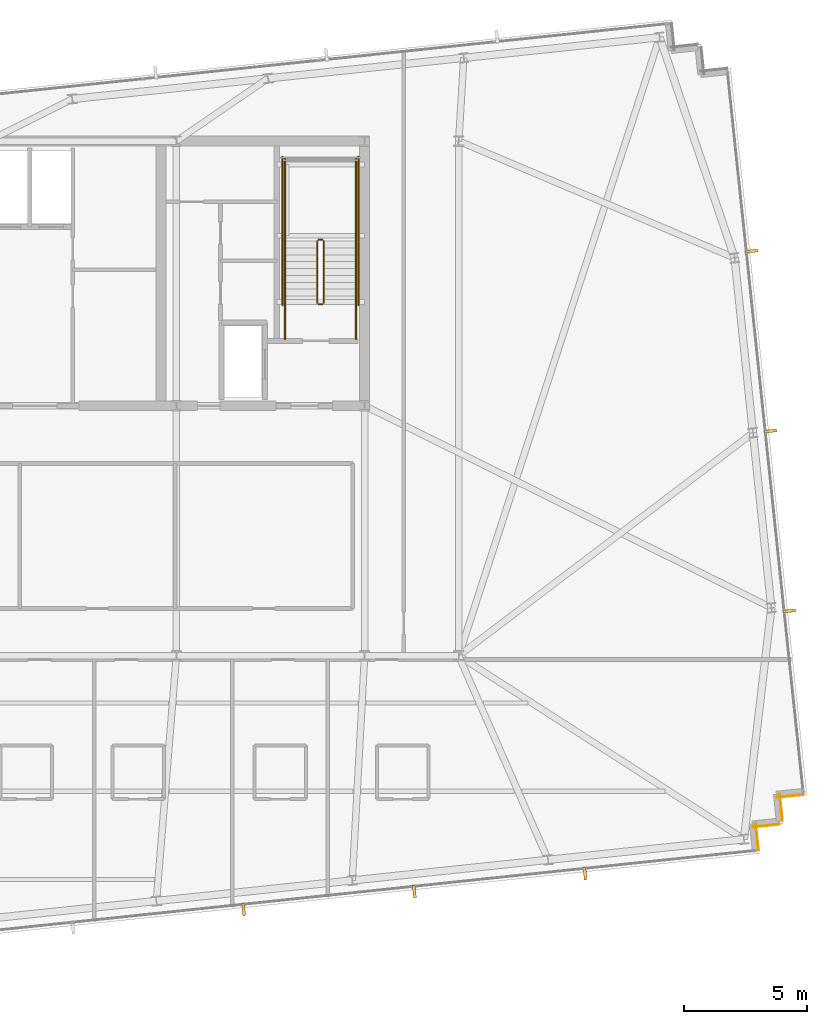
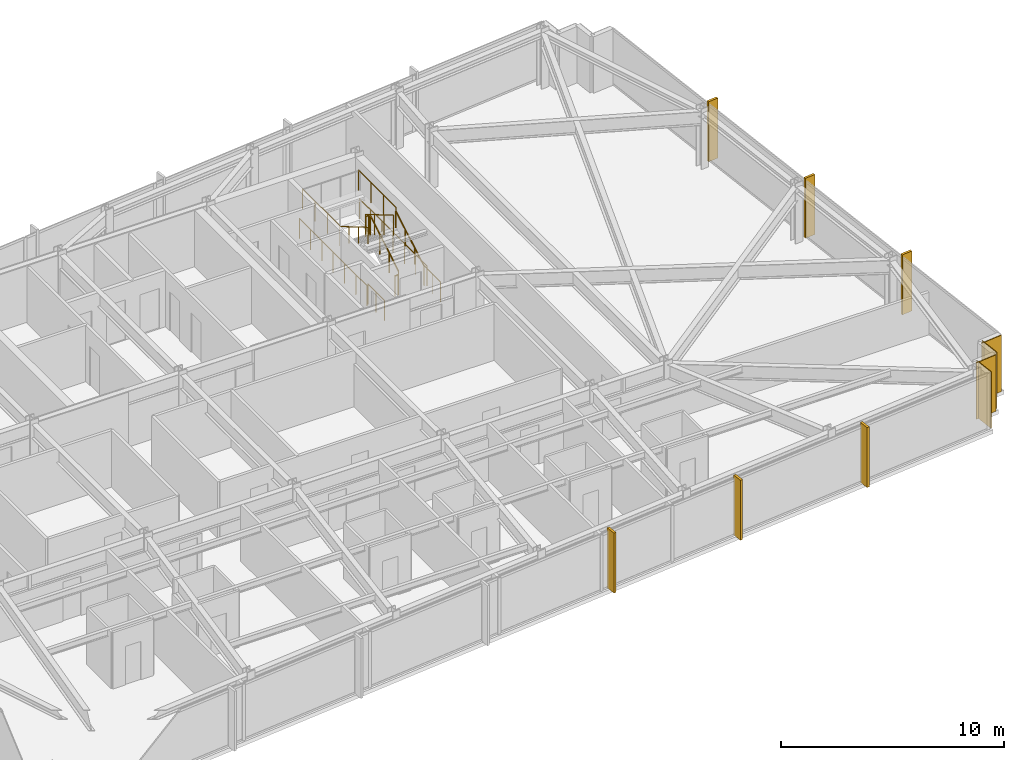
# One storey, part 32 of 33: 12 railings, 6 shading devices, 4 coverings.
"""IFC4 building model written with IfcOpenShell, lengths in metres."""

from ifc_helpers import new_model, si_unit, direction, frame, frame_2d, origin, origin_2d, place, context, subcontext, project, spatial, rectangle, circle, extrude, material, layer, layer_set, type_object, element, save


model = new_model("IFC4")

# Units and contexts
model_context = context("Model", 3, precision=1e-05, world=origin(), true_north=direction((0.0, 1.0)))
body_context = subcontext(model_context, "Body", "Model", "MODEL_VIEW")
ifc_project = project(units=[si_unit("LENGTHUNIT", "METRE"), si_unit("AREAUNIT", "SQUARE_METRE"), si_unit("VOLUMEUNIT", "CUBIC_METRE"), si_unit("PLANEANGLEUNIT", "RADIAN"), si_unit("MASSUNIT", "GRAM", prefix="KILO")], contexts=[model_context])

# Site, building, storey
site_placement = place(None, origin())
site = spatial("IfcSite", under=ifc_project, at=site_placement, CompositionType="ELEMENT")
building_placement = place(site_placement, origin())
building = spatial("IfcBuilding", under=site, at=building_placement, Name="Yelkora Congress Tower", CompositionType="ELEMENT")
storey_placement = place(building_placement, frame((0.0, 0.0, 240.800048828125)))
storey = spatial("IfcBuildingStorey", under=building, at=storey_placement, Name="L67", CompositionType="ELEMENT", Elevation=240.800048828125)

# Coverings
ifc_material_1 = material(Name="Anatolian bush-hammered limestone", Category="masonry")
ifc_layer_1 = layer(ifc_material_1, 0.0400390625)
ifc_layer_set_1 = layer_set([ifc_layer_1], Name="Anatolian bush-hammered limestone")
covering_type = type_object("IfcCoveringType", Name="COV-CLAD-SPANDREL-40", PredefinedType="CLADDING", material=ifc_layer_set_1)
for number, where, z_axis, x_axis, name in (
    (1, (71.668212890625, 19.535888671875, 0.0), (0.0, 0.0, 1.0), (-0.994544300928, -0.104315068386, 0.0), "L67 Anatolian Limestone Cladding EW-L67-SR16"),
    (2, (70.6943359375, 19.569580078125, 0.0), (0.0, 0.0, 1.0), (0.104534592565, -0.994521251134, 0.0), "L67 Anatolian Limestone Cladding EW-L67-SR17"),
    (3, (70.689208984375, 18.3271484375, 0.0), (0.0, 0.0, 1.0), (-0.994521251134, -0.104534592565, 0.0), "L67 Anatolian Limestone Cladding EW-L67-SR18"),
    (4, (69.71533203125, 18.360595703125, 0.0), (0.0, 0.0, 1.0), (0.104534592565, -0.994521251134, 0.0), "L67 Anatolian Limestone Cladding EW-L67-SR19"),
):
    element("IfcCovering", number, at=place(storey_placement, frame(where, z_axis=z_axis, x_axis=x_axis)), inside=storey, type_object=covering_type, Name=name, PredefinedType="CLADDING", context=body_context, shape_type="SweptSolid", body=[
        extrude(rectangle(XDim=1.10009765625, YDim=0.0400390625, at=frame_2d((0.550048828125, 0.0))), origin(), (0.0, 0.0, 1.0), 3.079833984375),
    ])

# Railings
ifc_material_2 = material(Name="Painted galvanised steel stair well guard with vertical infill", Category="steel")
ifc_layer_2 = layer(ifc_material_2, 0.06005859375)
ifc_layer_set_2 = layer_set([ifc_layer_2], Name="Painted galvanised steel stair well guard with vertical infill")
railing_type_1 = type_object("IfcRailingType", Name="RAIL-STAIR-GUARD-1120", PredefinedType="GUARDRAIL", material=ifc_layer_set_2)
railing_1_placement = place(storey_placement, frame((52.090087890625, 39.60009765625, 0.1650390625)))
element("IfcRailing", 5, at=railing_1_placement, inside=storey, type_object=railing_type_1, Name="ST-02 L67 Stair Well Guardrail 1", PredefinedType="GUARDRAIL", context=body_context, shape_type="SweptSolid", body=[
    extrude(circle(Radius=0.02392578125, at=origin_2d()), frame((0.0, 0.0, 1.09619140625), z_axis=(0.0, 0.861560626758, 0.507654692109), x_axis=(-1.0, 0.0, 0.0)), (0.0, 0.0, 1.0), 2.925048828125),
    extrude(circle(Radius=0.02099609375, at=origin_2d()), origin(), (0.0, 0.0, 1.0), 1.072021484375),
    extrude(circle(Radius=0.02099609375, at=origin_2d()), frame((0.0, 0.840087890625, 0.494873046875)), (0.0, 0.0, 1.0), 1.072021484375),
    extrude(circle(Radius=0.02099609375, at=origin_2d()), frame((0.0, 1.679931640625, 0.989990234375)), (0.0, 0.0, 1.0), 1.072021484375),
    extrude(circle(Radius=0.02099609375, at=origin_2d()), frame((0.0, 2.52001953125, 1.48486328125)), (0.0, 0.0, 1.0), 1.072021484375),
])
railing_2_placement = place(storey_placement, frame((52.0400390625, 42.169921875, 1.64990234375)))
element("IfcRailing", 6, at=railing_2_placement, inside=storey, type_object=railing_type_1, Name="ST-02 L67 Stair Well Guardrail 2", PredefinedType="GUARDRAIL", context=body_context, shape_type="SweptSolid", body=[
    extrude(circle(Radius=0.02392578125, at=origin_2d()), frame((0.0, 0.0, 1.09619140625), z_axis=(-1.0, 0.0, 0.0), x_axis=(0.0, -1.0, 0.0)), (0.0, 0.0, 1.0), 0.16015625),
    extrude(circle(Radius=0.02099609375, at=origin_2d()), origin(), (0.0, 0.0, 1.0), 1.072021484375),
    extrude(circle(Radius=0.02099609375, at=origin_2d()), frame((-0.16015625, 0.0, 0.0)), (0.0, 0.0, 1.0), 1.072021484375),
])
for number, where, name in (
    (7, (53.409912109375, 42.1201171875, 1.64990234375), "ST-02 L67 Stair Well Guardrail 3"),
    (8, (50.510009765625, 42.1201171875, 1.64990234375), "ST-02 L67 Stair Well Guardrail 4"),
):
    element("IfcRailing", number, at=place(storey_placement, frame(where)), inside=storey, type_object=railing_type_1, Name=name, PredefinedType="GUARDRAIL", context=body_context, shape_type="SweptSolid", body=[
        extrude(circle(Radius=0.02392578125, at=origin_2d()), frame((0.0, 0.0, 1.09619140625), z_axis=(0.0, 1.0, 0.0), x_axis=(-1.0, 0.0, 0.0)), (0.0, 0.0, 1.0), 3.349853515625),
        extrude(circle(Radius=0.02099609375, at=origin_2d()), origin(), (0.0, 0.0, 1.0), 1.072021484375),
        extrude(circle(Radius=0.02099609375, at=origin_2d()), frame((0.0, 1.11669921875, 0.0)), (0.0, 0.0, 1.0), 1.072021484375),
        extrude(circle(Radius=0.02099609375, at=origin_2d()), frame((0.0, 2.233154296875, 0.0)), (0.0, 0.0, 1.0), 1.072021484375),
        extrude(circle(Radius=0.02099609375, at=origin_2d()), frame((0.0, 3.349853515625, 0.0)), (0.0, 0.0, 1.0), 1.072021484375),
    ])
railing_3_placement = place(storey_placement, frame((51.830078125, 42.1201171875, 1.81494140625)))
element("IfcRailing", 9, at=railing_3_placement, inside=storey, type_object=railing_type_1, Name="ST-02 L67 Stair Well Guardrail 6", PredefinedType="GUARDRAIL", context=body_context, shape_type="SweptSolid", body=[
    extrude(circle(Radius=0.02392578125, at=origin_2d()), frame((0.0, 0.0, 1.09619140625), z_axis=(0.0, -0.86152411907, 0.507716645641), x_axis=(1.0, 0.0, 0.0)), (0.0, 0.0, 1.0), 2.925048828125),
    extrude(circle(Radius=0.02099609375, at=origin_2d()), origin(), (0.0, 0.0, 1.0), 1.072021484375),
    extrude(circle(Radius=0.02099609375, at=origin_2d()), frame((0.0, -0.840087890625, 0.4951171875)), (0.0, 0.0, 1.0), 1.072021484375),
    extrude(circle(Radius=0.02099609375, at=origin_2d()), frame((0.0, -1.679931640625, 0.989990234375)), (0.0, 0.0, 1.0), 1.072021484375),
    extrude(circle(Radius=0.02099609375, at=origin_2d()), frame((0.0, -2.52001953125, 1.485107421875)), (0.0, 0.0, 1.0), 1.072021484375),
])
railing_4_placement = place(storey_placement, frame((52.0400390625, 39.550048828125, 0.0)))
element("IfcRailing", 10, at=railing_4_placement, inside=storey, type_object=railing_type_1, Name="ST-02 L67 Stair Well Guardrail 7", PredefinedType="GUARDRAIL", context=body_context, shape_type="SweptSolid", body=[
    extrude(circle(Radius=0.02392578125, at=origin_2d()), frame((0.0, 0.0, 1.09619140625), z_axis=(-1.0, 0.0, 0.0), x_axis=(0.0, -1.0, 0.0)), (0.0, 0.0, 1.0), 0.16015625),
    extrude(circle(Radius=0.02099609375, at=origin_2d()), origin(), (0.0, 0.0, 1.0), 1.072021484375),
    extrude(circle(Radius=0.02099609375, at=origin_2d()), frame((-0.16015625, 0.0, 0.0)), (0.0, 0.0, 1.0), 1.072021484375),
])
for number, where, name in (
    (11, (53.409912109375, 38.1201171875, 0.0), "ST-02 L67 Stair Well Guardrail 8"),
    (12, (50.510009765625, 38.1201171875, 0.0), "ST-02 L67 Stair Well Guardrail 9"),
):
    element("IfcRailing", number, at=place(storey_placement, frame(where)), inside=storey, type_object=railing_type_1, Name=name, PredefinedType="GUARDRAIL", context=body_context, shape_type="SweptSolid", body=[
        extrude(circle(Radius=0.02392578125, at=origin_2d()), frame((0.0, 0.0, 1.09619140625), z_axis=(0.0, 1.0, 0.0), x_axis=(-1.0, 0.0, 0.0)), (0.0, 0.0, 1.0), 1.47998046875),
        extrude(circle(Radius=0.02099609375, at=origin_2d()), origin(), (0.0, 0.0, 1.0), 1.072021484375),
        extrude(circle(Radius=0.02099609375, at=origin_2d()), frame((0.0, 0.739990234375, 0.0)), (0.0, 0.0, 1.0), 1.072021484375),
        extrude(circle(Radius=0.02099609375, at=origin_2d()), frame((0.0, 1.47998046875, 0.0)), (0.0, 0.0, 1.0), 1.072021484375),
    ])
for number, where, name in (
    (13, (53.510009765625, 39.5, 0.0), "ST-02 L67 Stair Well Guardrail 10"),
    (14, (50.409912109375, 39.5, 0.0), "ST-02 L67 Stair Well Guardrail 11"),
):
    element("IfcRailing", number, at=place(storey_placement, frame(where)), inside=storey, type_object=railing_type_1, Name=name, PredefinedType="GUARDRAIL", context=body_context, shape_type="SweptSolid", body=[
        extrude(circle(Radius=0.02392578125, at=origin_2d()), frame((0.0, 0.0, 1.09619140625), z_axis=(0.0, 1.0, 0.0), x_axis=(-1.0, 0.0, 0.0)), (0.0, 0.0, 1.0), 6.070068359375),
        extrude(circle(Radius=0.02099609375, at=origin_2d()), origin(), (0.0, 0.0, 1.0), 1.072021484375),
        extrude(circle(Radius=0.02099609375, at=origin_2d()), frame((0.0, 1.01171875, 0.0)), (0.0, 0.0, 1.0), 1.072021484375),
        extrude(circle(Radius=0.02099609375, at=origin_2d()), frame((0.0, 2.0234375, 0.0)), (0.0, 0.0, 1.0), 1.072021484375),
        extrude(circle(Radius=0.02099609375, at=origin_2d()), frame((0.0, 3.03515625, 0.0)), (0.0, 0.0, 1.0), 1.072021484375),
        extrude(circle(Radius=0.02099609375, at=origin_2d()), frame((0.0, 4.046630859375, 0.0)), (0.0, 0.0, 1.0), 1.072021484375),
        extrude(circle(Radius=0.02099609375, at=origin_2d()), frame((0.0, 5.058349609375, 0.0)), (0.0, 0.0, 1.0), 1.072021484375),
        extrude(circle(Radius=0.02099609375, at=origin_2d()), frame((0.0, 6.070068359375, 0.0)), (0.0, 0.0, 1.0), 1.072021484375),
    ])
ifc_material_3 = material(Name="Brushed stainless steel tubular handrail", Category="steel")
ifc_layer_3 = layer(ifc_material_3, 0.050048828125)
ifc_layer_set_3 = layer_set([ifc_layer_3], Name="Brushed stainless steel tubular handrail")
railing_type_2 = type_object("IfcRailingType", Name="RAIL-STAIR-HAND-920", PredefinedType="HANDRAIL", material=ifc_layer_set_3)
railing_5_placement = place(storey_placement, frame((53.409912109375, 39.60009765625, 0.1650390625)))
element("IfcRailing", 15, at=railing_5_placement, inside=storey, type_object=railing_type_2, Name="ST-02 L67 Pitch Handrail 1", PredefinedType="HANDRAIL", context=body_context, shape_type="SweptSolid", body=[
    extrude(circle(Radius=0.02392578125, at=origin_2d()), frame((0.0, 0.0, 0.89599609375), z_axis=(0.0, 0.861560626758, 0.507654692109), x_axis=(-1.0, 0.0, 0.0)), (0.0, 0.0, 1.0), 2.925048828125),
    extrude(circle(Radius=0.02099609375, at=origin_2d()), origin(), (0.0, 0.0, 1.0), 0.871826171875),
    extrude(circle(Radius=0.02099609375, at=origin_2d()), frame((0.0, 0.840087890625, 0.494873046875)), (0.0, 0.0, 1.0), 0.871826171875),
    extrude(circle(Radius=0.02099609375, at=origin_2d()), frame((0.0, 1.679931640625, 0.989990234375)), (0.0, 0.0, 1.0), 0.871826171875),
    extrude(circle(Radius=0.02099609375, at=origin_2d()), frame((0.0, 2.52001953125, 1.48486328125)), (0.0, 0.0, 1.0), 0.871826171875),
])
railing_6_placement = place(storey_placement, frame((50.510009765625, 42.1201171875, 1.81494140625)))
element("IfcRailing", 16, at=railing_6_placement, inside=storey, type_object=railing_type_2, Name="ST-02 L67 Pitch Handrail 2", PredefinedType="HANDRAIL", context=body_context, shape_type="SweptSolid", body=[
    extrude(circle(Radius=0.02392578125, at=origin_2d()), frame((0.0, 0.0, 0.89599609375), z_axis=(0.0, -0.86152411907, 0.507716645641), x_axis=(1.0, 0.0, 0.0)), (0.0, 0.0, 1.0), 2.925048828125),
    extrude(circle(Radius=0.02099609375, at=origin_2d()), origin(), (0.0, 0.0, 1.0), 0.871826171875),
    extrude(circle(Radius=0.02099609375, at=origin_2d()), frame((0.0, -0.840087890625, 0.4951171875)), (0.0, 0.0, 1.0), 0.871826171875),
    extrude(circle(Radius=0.02099609375, at=origin_2d()), frame((0.0, -1.679931640625, 0.989990234375)), (0.0, 0.0, 1.0), 0.871826171875),
    extrude(circle(Radius=0.02099609375, at=origin_2d()), frame((0.0, -2.52001953125, 1.485107421875)), (0.0, 0.0, 1.0), 0.871826171875),
])

# Shading devices
ifc_material_4 = material(Name="Champagne anodised aluminium", Category="aluminium")
ifc_layer_4 = layer(ifc_material_4, 3.300048828125)
ifc_layer_set_4 = layer_set([ifc_layer_4], Name="Champagne anodised aluminium")
shading_device_type = type_object("IfcShadingDeviceType", Name="SHD-FIN-ALU-520", PredefinedType="USERDEFINED", material=ifc_layer_set_4)
for number, where, z_axis, x_axis, name in (
    (17, (69.538818359375, 41.7099609375, -0.0302734375), (0.0, 0.0, 1.0), (0.104528463268, -0.994521895368, 0.0), "L67 Vertical Anodised Solar Fin 15-1"),
    (18, (70.31005859375, 34.370361328125, -0.0302734375), (0.0, 0.0, 1.0), (0.104528463268, -0.994521895368, 0.0), "L67 Vertical Anodised Solar Fin 15-2"),
    (19, (71.08154296875, 27.03076171875, -0.0302734375), (0.0, 0.0, 1.0), (0.104528463268, -0.994521895368, 0.0), "L67 Vertical Anodised Solar Fin 15-3"),
    (20, (62.75244140625, 16.321533203125, -0.0302734375), (0.0, 0.0, 1.0), (-0.994521895368, -0.104528463268, 0.0), "L67 Vertical Anodised Solar Fin 20-1"),
    (21, (55.7880859375, 15.589599609375, -0.0302734375), (0.0, 0.0, 1.0), (-0.994521895368, -0.104528463268, 0.0), "L67 Vertical Anodised Solar Fin 20-2"),
    (22, (48.823486328125, 14.857421875, -0.0302734375), (0.0, 0.0, 1.0), (-0.994521895368, -0.104528463268, 0.0), "L67 Vertical Anodised Solar Fin 20-3"),
):
    element("IfcShadingDevice", number, at=place(storey_placement, frame(where, z_axis=z_axis, x_axis=x_axis)), inside=storey, type_object=shading_device_type, Name=name, ObjectType="FIN", PredefinedType="USERDEFINED", context=body_context, shape_type="SweptSolid", body=[
        extrude(rectangle(XDim=0.1201171875, YDim=0.52001953125, at=origin_2d()), origin(), (0.0, 0.0, 1.0), 3.280029296875),
    ])

save(model, "model.ifc")
